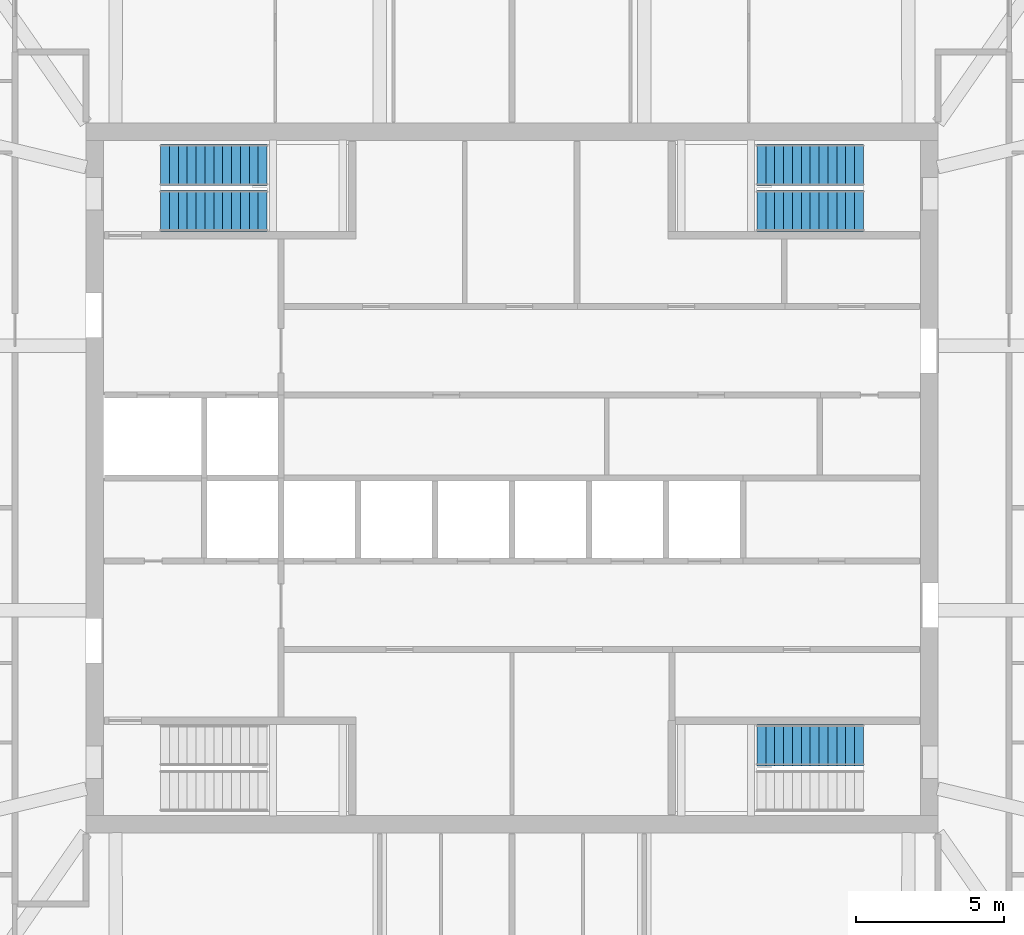
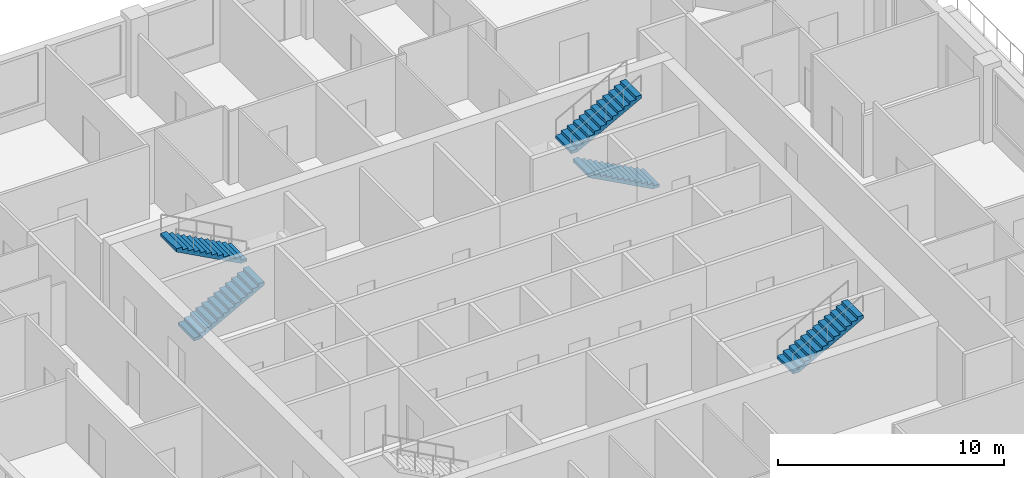
# One storey, part 10 of 12: 5 stair flights, 3 elements without a shape of their own.
"""IFC4 building model written with IfcOpenShell, lengths in metres."""

from ifc_helpers import new_model, si_unit, direction, frame, origin, place, context, subcontext, project, spatial, polyline, outline, extrude, material, type_object, element, aggregate, save


model = new_model("IFC4")

# Units and contexts
model_context = context("Model", 3, precision=1e-05, world=origin(), true_north=direction((0.0, 1.0)))
body_context = subcontext(model_context, "Body", "Model", "MODEL_VIEW")
ifc_project = project(units=[si_unit("LENGTHUNIT", "METRE"), si_unit("AREAUNIT", "SQUARE_METRE"), si_unit("VOLUMEUNIT", "CUBIC_METRE"), si_unit("PLANEANGLEUNIT", "RADIAN"), si_unit("MASSUNIT", "GRAM", prefix="KILO")], contexts=[model_context])

# Site, building, storey
site_placement = place(None, origin())
site = spatial("IfcSite", under=ifc_project, at=site_placement, CompositionType="ELEMENT")
building_placement = place(site_placement, origin())
building = spatial("IfcBuilding", under=site, at=building_placement, Name="Msitu Wima Residences", CompositionType="ELEMENT")
storey_placement = place(building_placement, frame((0.0, 0.0, 239.10009765625)))
storey = spatial("IfcBuildingStorey", under=building, at=storey_placement, Name="L55", CompositionType="ELEMENT", Elevation=239.10009765625)

# Stair, stair flights
ifc_material = material(Name="Concrete C40/50", Category="concrete")
stair_type = type_object("IfcStairType", Name="Exit stair ES1615-140", PredefinedType="HALF_TURN_STAIR", material=ifc_material)
stair_1_placement = place(storey_placement, origin())
stair_1 = element("IfcStair", 1, at=stair_1_placement, inside=storey, type_object=stair_type, Name="Exit stair 1", PredefinedType="HALF_TURN_STAIR")
stair_flight_type = type_object("IfcStairFlightType", Name="Exit stair flight ES1615-140", PredefinedType="STRAIGHT", material=ifc_material)
stair_flight_1_placement = place(storey_placement, frame((-11.875, 9.02490234375, 0.0), z_axis=(0.0, 0.0, 1.0), x_axis=(1.0, 0.0, 0.0)))
stair_flight_1 = element("IfcStairFlight", 2, at=stair_flight_1_placement, type_object=stair_flight_type, Name="S1 flight 1", NumberOfRisers=13, NumberOfTreads=12, PredefinedType="STRAIGHT", RiserHeight=0.161538462, TreadLength=0.3, context=body_context, shape_type="SweptSolid", body=[
    extrude(outline(polyline([(0.0, 0.0), (0.0, 0.16162109375), (0.300048828125, 0.16162109375), (0.300048828125, 0.322998046875), (0.60009765625, 0.322998046875), (0.60009765625, 0.484619140625), (0.89990234375, 0.484619140625), (0.89990234375, 0.646240234375), (1.199951171875, 0.646240234375), (1.199951171875, 0.8076171875), (1.5, 0.8076171875), (1.5, 0.96923828125), (1.800048828125, 0.96923828125), (1.800048828125, 1.130859375), (2.10009765625, 1.130859375), (2.10009765625, 1.292236328125), (2.39990234375, 1.292236328125), (2.39990234375, 1.453857421875), (2.699951171875, 1.453857421875), (2.699951171875, 1.615478515625), (3.0, 1.615478515625), (3.0, 1.77685546875), (3.300048828125, 1.77685546875), (3.300048828125, 1.9384765625), (3.60009765625, 1.9384765625), (3.60009765625, 2.10009765625), (3.60009765625, 1.768310546875), (0.316162109375, 0.0), (0.0, 0.0)])), frame((0.0, 0.699951171875, 0.0), z_axis=(0.0, -1.0, 0.0), x_axis=(1.0, 0.0, 0.0)), (0.0, 0.0, 1.0), 1.39990234375),
])
stair_flight_2_placement = place(storey_placement, frame((-8.27490234375, 10.574951171875, 2.099853515625), z_axis=(0.0, 0.0, 1.0), x_axis=(-1.0, 0.0, 0.0)))
stair_flight_2 = element("IfcStairFlight", 3, at=stair_flight_2_placement, type_object=stair_flight_type, Name="S1 flight 2", NumberOfRisers=13, NumberOfTreads=12, PredefinedType="STRAIGHT", RiserHeight=0.161538462, TreadLength=0.3, context=body_context, shape_type="SweptSolid", body=[
    extrude(outline(polyline([(0.0, 0.0), (0.0, 0.16162109375), (0.300048828125, 0.16162109375), (0.300048828125, 0.322998046875), (0.60009765625, 0.322998046875), (0.60009765625, 0.484619140625), (0.89990234375, 0.484619140625), (0.89990234375, 0.646240234375), (1.199951171875, 0.646240234375), (1.199951171875, 0.8076171875), (1.5, 0.8076171875), (1.5, 0.96923828125), (1.800048828125, 0.96923828125), (1.800048828125, 1.130859375), (2.10009765625, 1.130859375), (2.10009765625, 1.292236328125), (2.39990234375, 1.292236328125), (2.39990234375, 1.453857421875), (2.699951171875, 1.453857421875), (2.699951171875, 1.615478515625), (3.0, 1.615478515625), (3.0, 1.77685546875), (3.300048828125, 1.77685546875), (3.300048828125, 1.9384765625), (3.60009765625, 1.9384765625), (3.60009765625, 2.10009765625), (3.60009765625, 1.768310546875), (0.316162109375, 0.0), (0.0, 0.0)])), frame((0.0, 0.699951171875, 0.0), z_axis=(0.0, -1.0, 0.0), x_axis=(1.0, 0.0, 0.0)), (0.0, 0.0, 1.0), 1.39990234375),
])
aggregate(stair_1, [stair_flight_1, stair_flight_2])

stair_2_placement = place(storey_placement, origin())
stair_2 = element("IfcStair", 4, at=stair_2_placement, inside=storey, type_object=stair_type, Name="Exit stair 3", PredefinedType="HALF_TURN_STAIR")
stair_flight_3_placement = place(storey_placement, frame((11.875, 9.02490234375, 0.0), z_axis=(0.0, 0.0, 1.0), x_axis=(-1.0, 0.0, 0.0)))
stair_flight_3 = element("IfcStairFlight", 5, at=stair_flight_3_placement, type_object=stair_flight_type, Name="S3 flight 1", NumberOfRisers=13, NumberOfTreads=12, PredefinedType="STRAIGHT", RiserHeight=0.161538462, TreadLength=0.3, context=body_context, shape_type="SweptSolid", body=[
    extrude(outline(polyline([(0.0, 0.0), (0.0, 0.16162109375), (0.300048828125, 0.16162109375), (0.300048828125, 0.322998046875), (0.60009765625, 0.322998046875), (0.60009765625, 0.484619140625), (0.89990234375, 0.484619140625), (0.89990234375, 0.646240234375), (1.199951171875, 0.646240234375), (1.199951171875, 0.8076171875), (1.5, 0.8076171875), (1.5, 0.96923828125), (1.800048828125, 0.96923828125), (1.800048828125, 1.130859375), (2.10009765625, 1.130859375), (2.10009765625, 1.292236328125), (2.39990234375, 1.292236328125), (2.39990234375, 1.453857421875), (2.699951171875, 1.453857421875), (2.699951171875, 1.615478515625), (3.0, 1.615478515625), (3.0, 1.77685546875), (3.300048828125, 1.77685546875), (3.300048828125, 1.9384765625), (3.60009765625, 1.9384765625), (3.60009765625, 2.10009765625), (3.60009765625, 1.768310546875), (0.316162109375, 0.0), (0.0, 0.0)])), frame((0.0, 0.699951171875, 0.0), z_axis=(0.0, -1.0, 0.0), x_axis=(1.0, 0.0, 0.0)), (0.0, 0.0, 1.0), 1.39990234375),
])
stair_flight_4_placement = place(storey_placement, frame((8.27490234375, 10.574951171875, 2.099853515625), z_axis=(0.0, 0.0, 1.0), x_axis=(1.0, 0.0, 0.0)))
stair_flight_4 = element("IfcStairFlight", 6, at=stair_flight_4_placement, type_object=stair_flight_type, Name="S3 flight 2", NumberOfRisers=13, NumberOfTreads=12, PredefinedType="STRAIGHT", RiserHeight=0.161538462, TreadLength=0.3, context=body_context, shape_type="SweptSolid", body=[
    extrude(outline(polyline([(0.0, 0.0), (0.0, 0.16162109375), (0.300048828125, 0.16162109375), (0.300048828125, 0.322998046875), (0.60009765625, 0.322998046875), (0.60009765625, 0.484619140625), (0.89990234375, 0.484619140625), (0.89990234375, 0.646240234375), (1.199951171875, 0.646240234375), (1.199951171875, 0.8076171875), (1.5, 0.8076171875), (1.5, 0.96923828125), (1.800048828125, 0.96923828125), (1.800048828125, 1.130859375), (2.10009765625, 1.130859375), (2.10009765625, 1.292236328125), (2.39990234375, 1.292236328125), (2.39990234375, 1.453857421875), (2.699951171875, 1.453857421875), (2.699951171875, 1.615478515625), (3.0, 1.615478515625), (3.0, 1.77685546875), (3.300048828125, 1.77685546875), (3.300048828125, 1.9384765625), (3.60009765625, 1.9384765625), (3.60009765625, 2.10009765625), (3.60009765625, 1.768310546875), (0.316162109375, 0.0), (0.0, 0.0)])), frame((0.0, 0.699951171875, 0.0), z_axis=(0.0, -1.0, 0.0), x_axis=(1.0, 0.0, 0.0)), (0.0, 0.0, 1.0), 1.39990234375),
])
aggregate(stair_2, [stair_flight_3, stair_flight_4])

# Stair, stair flight
stair_3_placement = place(storey_placement, origin())
stair_3 = element("IfcStair", 7, at=stair_3_placement, inside=storey, type_object=stair_type, Name="Exit stair 4", PredefinedType="HALF_TURN_STAIR")
stair_flight_5_placement = place(storey_placement, frame((8.27490234375, -9.02490234375, 2.099853515625), z_axis=(0.0, 0.0, 1.0), x_axis=(1.0, 0.0, 0.0)))
stair_flight_5 = element("IfcStairFlight", 8, at=stair_flight_5_placement, type_object=stair_flight_type, Name="S4 flight 2", NumberOfRisers=13, NumberOfTreads=12, PredefinedType="STRAIGHT", RiserHeight=0.161538462, TreadLength=0.3, context=body_context, shape_type="SweptSolid", body=[
    extrude(outline(polyline([(0.0, 0.0), (0.0, 0.16162109375), (0.300048828125, 0.16162109375), (0.300048828125, 0.322998046875), (0.60009765625, 0.322998046875), (0.60009765625, 0.484619140625), (0.89990234375, 0.484619140625), (0.89990234375, 0.646240234375), (1.199951171875, 0.646240234375), (1.199951171875, 0.8076171875), (1.5, 0.8076171875), (1.5, 0.96923828125), (1.800048828125, 0.96923828125), (1.800048828125, 1.130859375), (2.10009765625, 1.130859375), (2.10009765625, 1.292236328125), (2.39990234375, 1.292236328125), (2.39990234375, 1.453857421875), (2.699951171875, 1.453857421875), (2.699951171875, 1.615478515625), (3.0, 1.615478515625), (3.0, 1.77685546875), (3.300048828125, 1.77685546875), (3.300048828125, 1.9384765625), (3.60009765625, 1.9384765625), (3.60009765625, 2.10009765625), (3.60009765625, 1.768310546875), (0.316162109375, 0.0), (0.0, 0.0)])), frame((0.0, 0.699951171875, 0.0), z_axis=(0.0, -1.0, 0.0), x_axis=(1.0, 0.0, 0.0)), (0.0, 0.0, 1.0), 1.39990234375),
])
aggregate(stair_3, [stair_flight_5])

save(model, "model.ifc")
